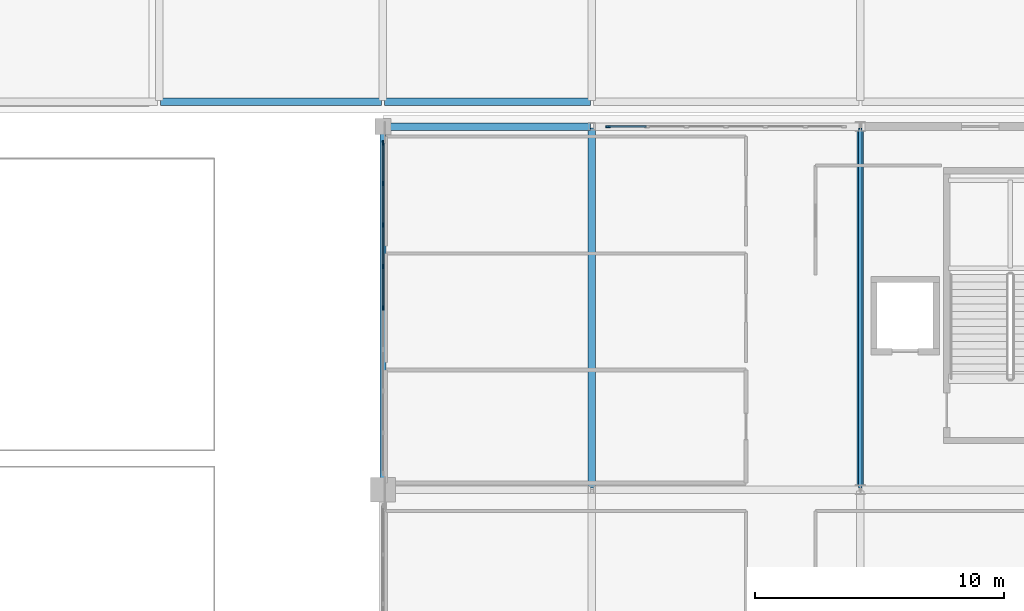
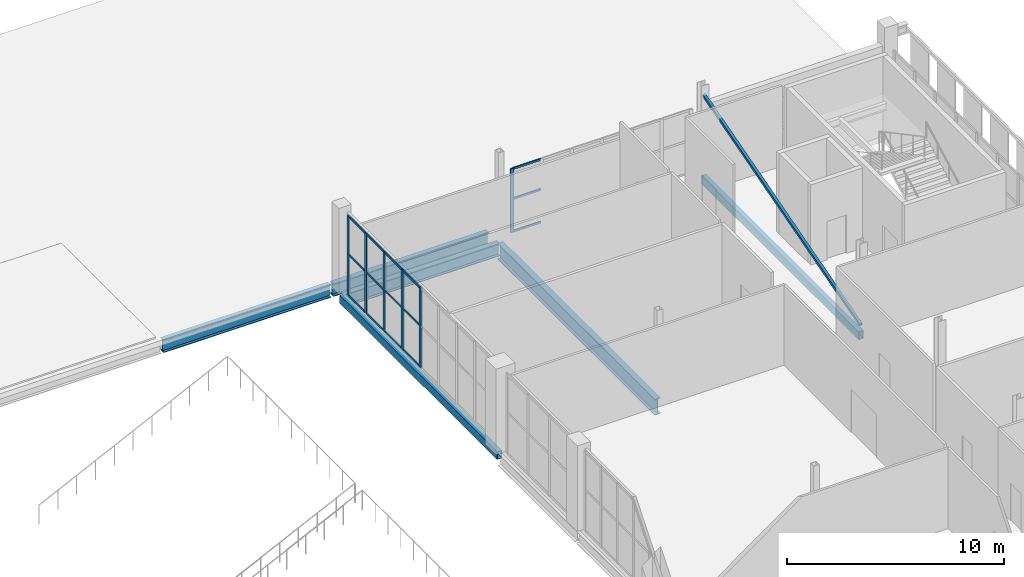
# One storey, part 47 of 104: 22 members, 6 beams, 2 elements without a shape of their own.
"""IFC4 building model written with IfcOpenShell, lengths in metres."""

from ifc_helpers import new_model, si_unit, direction, frame, origin, origin_2d, place, context, subcontext, project, spatial, rectangle, hollow_rectangle, i_section, extrude, material, material_profile, profile_set, type_object, element, aggregate, save


model = new_model("IFC4")

# Units and contexts
model_context = context("Model", 3, precision=1e-05, world=origin(), true_north=direction((0.0, 1.0)))
body_context = subcontext(model_context, "Body", "Model", "MODEL_VIEW")
ifc_project = project(units=[si_unit("LENGTHUNIT", "METRE"), si_unit("AREAUNIT", "SQUARE_METRE"), si_unit("VOLUMEUNIT", "CUBIC_METRE"), si_unit("PLANEANGLEUNIT", "RADIAN"), si_unit("MASSUNIT", "GRAM", prefix="KILO")], contexts=[model_context])

# Site, building, storey
site_placement = place(None, origin())
site = spatial("IfcSite", under=ifc_project, at=site_placement, CompositionType="ELEMENT")
building_placement = place(site_placement, origin())
building = spatial("IfcBuilding", under=site, at=building_placement, Name="Koshinbarg Plaza Stadium", CompositionType="ELEMENT")
storey_placement = place(building_placement, frame((0.0, 0.0, 19.800048828125)))
storey = spatial("IfcBuildingStorey", under=building, at=storey_placement, Name="L04", CompositionType="ELEMENT", Elevation=19.800048828125)

# Beams
ifc_material_1 = material(Name="Steel S355", Category="steel")
ifc_material_profile_1 = material_profile(ifc_material_1, i_section(OverallWidth=0.300048828125, OverallDepth=0.699951171875, WebThickness=0.01708984375, FlangeThickness=0.031982421875, at=origin_2d()), Name="HEB 700")
ifc_profile_set_1 = profile_set([ifc_material_profile_1], Name="Steel S355")
beam_type_1 = type_object("IfcBeamType", Name="BM-SGIR-03", PredefinedType="USERDEFINED", material=ifc_profile_set_1)
beam_1_placement = place(storey_placement, frame((189.4599609375, 126.5, -0.650146484375), z_axis=(1.0, 0.0, 0.0), x_axis=(0.0, 1.0, 0.0)))
element("IfcBeam", 1, at=beam_1_placement, inside=storey, type_object=beam_type_1, Name="L04 X girder R/18-19", ObjectType="GIRDER", PredefinedType="USERDEFINED", context=body_context, shape_type="SweptSolid", body=[
    extrude(i_section(OverallWidth=0.300048828125, OverallDepth=0.699951171875, WebThickness=0.01708984375, FlangeThickness=0.031982421875, at=origin_2d()), origin(), (0.0, 0.0, 1.0), 8.280029296875),
])
beam_2_placement = place(storey_placement, frame((180.4599609375, 127.5, -0.650146484375), z_axis=(1.0, 0.0, 0.0), x_axis=(0.0, 1.0, 0.0)))
element("IfcBeam", 2, at=beam_2_placement, inside=storey, type_object=beam_type_1, Name="L04 X girder S/17-18", ObjectType="GIRDER", PredefinedType="USERDEFINED", context=body_context, shape_type="SweptSolid", body=[
    extrude(i_section(OverallWidth=0.300048828125, OverallDepth=0.699951171875, WebThickness=0.01708984375, FlangeThickness=0.031982421875, at=origin_2d()), origin(), (0.0, 0.0, 1.0), 8.880126953125),
])
beam_3_placement = place(storey_placement, frame((189.4599609375, 127.5, -0.650146484375), z_axis=(1.0, 0.0, 0.0), x_axis=(0.0, 1.0, 0.0)))
element("IfcBeam", 3, at=beam_3_placement, inside=storey, type_object=beam_type_1, Name="L04 X girder S/18-19", ObjectType="GIRDER", PredefinedType="USERDEFINED", context=body_context, shape_type="SweptSolid", body=[
    extrude(i_section(OverallWidth=0.300048828125, OverallDepth=0.699951171875, WebThickness=0.01708984375, FlangeThickness=0.031982421875, at=origin_2d()), origin(), (0.0, 0.0, 1.0), 8.280029296875),
])
ifc_material_profile_2 = material_profile(ifc_material_1, i_section(OverallWidth=0.300048828125, OverallDepth=0.89990234375, WebThickness=0.0185546875, FlangeThickness=0.034912109375, at=origin_2d()), Name="HEB 900")
ifc_profile_set_2 = profile_set([ifc_material_profile_2], Name="Steel S355")
beam_type_2 = type_object("IfcBeamType", Name="BM-SGIR-05", PredefinedType="USERDEFINED", material=ifc_profile_set_2)
beam_4_placement = place(storey_placement, frame((197.800048828125, 111.9599609375, -0.75), z_axis=(0.0, 1.0, 0.0), x_axis=(-1.0, 0.0, 0.0)))
element("IfcBeam", 4, at=beam_4_placement, inside=storey, type_object=beam_type_2, Name="L04 Y girder 19/Q-R", ObjectType="GIRDER", PredefinedType="USERDEFINED", context=body_context, shape_type="SweptSolid", body=[
    extrude(i_section(OverallWidth=0.300048828125, OverallDepth=0.89990234375, WebThickness=0.0185546875, FlangeThickness=0.034912109375, at=origin_2d()), origin(), (0.0, 0.0, 1.0), 14.47998046875),
])
ifc_material_profile_3 = material_profile(ifc_material_1, hollow_rectangle(XDim=0.25, YDim=0.449951171875, WallThickness=0.01611328125, at=origin_2d()), Name="RHS 450x250x16")
ifc_profile_set_3 = profile_set([ifc_material_profile_3], Name="Steel S355")
beam_type_3 = type_object("IfcBeamType", Name="BM-SGIR-06", PredefinedType="USERDEFINED", material=ifc_profile_set_3)
for number, where, z_axis, x_axis, name in (
    (5, (189.39990234375, 111.9599609375, -0.525146484375), (0.0, 1.0, 0.0), (-1.0, 0.0, 0.0), "L04 Y girder 18/Q-R"),
    (6, (208.60009765625, 111.9599609375, -0.525146484375), (0.0, 1.0, 0.0), (-1.0, 0.0, 0.0), "L04 Y girder 20/Q-R"),
):
    element("IfcBeam", number, at=place(storey_placement, frame(where, z_axis=z_axis, x_axis=x_axis)), inside=storey, type_object=beam_type_3, Name=name, ObjectType="GIRDER", PredefinedType="USERDEFINED", context=body_context, shape_type="SweptSolid", body=[
        extrude(hollow_rectangle(XDim=0.25, YDim=0.449951171875, WallThickness=0.01611328125, at=origin_2d()), origin(), (0.0, 0.0, 1.0), 14.47998046875),
    ])

# Curtain wall, member
ifc_material_2 = material(Name="Thermally broken anodised aluminium and low-E double glazing", Category="aluminium")
curtain_wall_type = type_object("IfcCurtainWallType", Name="CW-SYS-03", PredefinedType="NOTDEFINED", material=ifc_material_2)
curtain_wall_1_placement = place(storey_placement, origin())
curtain_wall_1 = element("IfcCurtainWall", 7, at=curtain_wall_1_placement, inside=storey, type_object=curtain_wall_type, Name="L04 unitised curtain wall CW-L04-098", PredefinedType="NOTDEFINED")
ifc_material_3 = material(Name="Anodised aluminium mullion", Category="aluminium")
ifc_material_profile_4 = material_profile(ifc_material_3, rectangle(XDim=0.070068359375, YDim=0.179931640625, at=origin_2d()), Name="ALU 70x180")
ifc_profile_set_4 = profile_set([ifc_material_profile_4], Name="Anodised aluminium mullion")
member_type_1 = type_object("IfcMemberType", Name="CW-MUL-03", PredefinedType="MULLION", material=ifc_profile_set_4)
member_1_placement = place(storey_placement, frame((198.449951171875, 126.5, 0.0), z_axis=(0.0, 0.0, 1.0), x_axis=(0.0, 1.0, 0.0)))
member_1 = element("IfcMember", 8, at=member_1_placement, type_object=member_type_1, Name="CW03 mullion 1", PredefinedType="MULLION", context=body_context, shape_type="SweptSolid", body=[
    extrude(rectangle(XDim=0.070068359375, YDim=0.179931640625, at=origin_2d()), origin(), (0.0, 0.0, 1.0), 3.579833984375),
])

# Curtain wall, members
curtain_wall_2_placement = place(storey_placement, origin())
curtain_wall_2 = element("IfcCurtainWall", 9, at=curtain_wall_2_placement, inside=storey, type_object=curtain_wall_type, Name="L04 unitised curtain wall CW-L04-130", PredefinedType="NOTDEFINED")
member_2_placement = place(storey_placement, frame((189.39990234375, 119.199951171875, 0.0), z_axis=(0.0, 0.0, 1.0), x_axis=(-1.0, 0.0, 0.0)))
member_2 = element("IfcMember", 10, at=member_2_placement, type_object=member_type_1, Name="CW03 mullion 5", PredefinedType="MULLION", context=body_context, shape_type="SweptSolid", body=[
    extrude(rectangle(XDim=0.070068359375, YDim=0.179931640625, at=origin_2d()), origin(), (0.0, 0.0, 1.0), 4.47998046875),
])
member_3_placement = place(storey_placement, frame((189.39990234375, 120.8701171875, 0.0), z_axis=(0.0, 0.0, 1.0), x_axis=(-1.0, 0.0, 0.0)))
member_3 = element("IfcMember", 11, at=member_3_placement, type_object=member_type_1, Name="CW03 mullion 6", PredefinedType="MULLION", context=body_context, shape_type="SweptSolid", body=[
    extrude(rectangle(XDim=0.070068359375, YDim=0.179931640625, at=origin_2d()), origin(), (0.0, 0.0, 1.0), 4.47998046875),
])
member_4_placement = place(storey_placement, frame((189.39990234375, 122.5400390625, 0.0), z_axis=(0.0, 0.0, 1.0), x_axis=(-1.0, 0.0, 0.0)))
member_4 = element("IfcMember", 12, at=member_4_placement, type_object=member_type_1, Name="CW03 mullion 7", PredefinedType="MULLION", context=body_context, shape_type="SweptSolid", body=[
    extrude(rectangle(XDim=0.070068359375, YDim=0.179931640625, at=origin_2d()), origin(), (0.0, 0.0, 1.0), 4.47998046875),
])
member_5_placement = place(storey_placement, frame((189.39990234375, 124.2099609375, 0.0), z_axis=(0.0, 0.0, 1.0), x_axis=(-1.0, 0.0, 0.0)))
member_5 = element("IfcMember", 13, at=member_5_placement, type_object=member_type_1, Name="CW03 mullion 8", PredefinedType="MULLION", context=body_context, shape_type="SweptSolid", body=[
    extrude(rectangle(XDim=0.070068359375, YDim=0.179931640625, at=origin_2d()), origin(), (0.0, 0.0, 1.0), 4.47998046875),
])
member_6_placement = place(storey_placement, frame((189.39990234375, 125.85009765625, 0.0), z_axis=(0.0, 0.0, 1.0), x_axis=(-1.0, 0.0, 0.0)))
member_6 = element("IfcMember", 14, at=member_6_placement, type_object=member_type_1, Name="CW03 mullion 9", PredefinedType="MULLION", context=body_context, shape_type="SweptSolid", body=[
    extrude(rectangle(XDim=0.070068359375, YDim=0.179931640625, at=origin_2d()), origin(), (0.0, 0.0, 1.0), 4.47998046875),
])

# Member
ifc_material_4 = material(Name="Anodised aluminium transom", Category="aluminium")
ifc_material_profile_5 = material_profile(ifc_material_4, rectangle(XDim=0.06005859375, YDim=0.110107421875, at=origin_2d()), Name="ALU 60x110")
ifc_profile_set_5 = profile_set([ifc_material_profile_5], Name="Anodised aluminium transom")
member_type_2 = type_object("IfcMemberType", Name="CW-TRN-01", PredefinedType="USERDEFINED", material=ifc_profile_set_5)
member_7_placement = place(storey_placement, frame((198.47998046875, 126.5, 0.030029296875), z_axis=(1.0, 0.0, 0.0), x_axis=(0.0, 1.0, 0.0)))
member_7 = element("IfcMember", 15, at=member_7_placement, type_object=member_type_2, Name="CW03 transom 1.1", ObjectType="TRANSOM", PredefinedType="USERDEFINED", context=body_context, shape_type="SweptSolid", body=[
    extrude(rectangle(XDim=0.06005859375, YDim=0.110107421875, at=origin_2d()), origin(), (0.0, 0.0, 1.0), 1.50341796875),
])

member_8_placement = place(storey_placement, frame((198.47998046875, 126.5, 1.861572265625), z_axis=(1.0, 0.0, 0.0), x_axis=(0.0, 1.0, 0.0)))
member_8 = element("IfcMember", 16, at=member_8_placement, type_object=member_type_2, Name="CW03 transom 1.2", ObjectType="TRANSOM", PredefinedType="USERDEFINED", context=body_context, shape_type="SweptSolid", body=[
    extrude(rectangle(XDim=0.06005859375, YDim=0.110107421875, at=origin_2d()), origin(), (0.0, 0.0, 1.0), 1.50341796875),
])

member_9_placement = place(storey_placement, frame((198.47998046875, 126.5, 3.550048828125), z_axis=(1.0, 0.0, 0.0), x_axis=(0.0, 1.0, 0.0)))
member_9 = element("IfcMember", 17, at=member_9_placement, type_object=member_type_2, Name="CW03 transom 1.3", ObjectType="TRANSOM", PredefinedType="USERDEFINED", context=body_context, shape_type="SweptSolid", body=[
    extrude(rectangle(XDim=0.06005859375, YDim=0.110107421875, at=origin_2d()), origin(), (0.0, 0.0, 1.0), 1.50341796875),
])

aggregate(curtain_wall_1, [member_1, member_7, member_8, member_9])

member_10_placement = place(storey_placement, frame((189.39990234375, 119.22998046875, 0.030029296875), z_axis=(0.0, 1.0, 0.0), x_axis=(-1.0, 0.0, 0.0)))
member_10 = element("IfcMember", 18, at=member_10_placement, type_object=member_type_2, Name="CW03 transom 5.1", ObjectType="TRANSOM", PredefinedType="USERDEFINED", context=body_context, shape_type="SweptSolid", body=[
    extrude(rectangle(XDim=0.06005859375, YDim=0.110107421875, at=origin_2d()), origin(), (0.0, 0.0, 1.0), 1.610107421875),
])

member_11_placement = place(storey_placement, frame((189.39990234375, 119.22998046875, 2.32958984375), z_axis=(0.0, 1.0, 0.0), x_axis=(-1.0, 0.0, 0.0)))
member_11 = element("IfcMember", 19, at=member_11_placement, type_object=member_type_2, Name="CW03 transom 5.2", ObjectType="TRANSOM", PredefinedType="USERDEFINED", context=body_context, shape_type="SweptSolid", body=[
    extrude(rectangle(XDim=0.06005859375, YDim=0.110107421875, at=origin_2d()), origin(), (0.0, 0.0, 1.0), 1.610107421875),
])

member_12_placement = place(storey_placement, frame((189.39990234375, 119.22998046875, 4.449951171875), z_axis=(0.0, 1.0, 0.0), x_axis=(-1.0, 0.0, 0.0)))
member_12 = element("IfcMember", 20, at=member_12_placement, type_object=member_type_2, Name="CW03 transom 5.3", ObjectType="TRANSOM", PredefinedType="USERDEFINED", context=body_context, shape_type="SweptSolid", body=[
    extrude(rectangle(XDim=0.06005859375, YDim=0.110107421875, at=origin_2d()), origin(), (0.0, 0.0, 1.0), 1.610107421875),
])

member_13_placement = place(storey_placement, frame((189.39990234375, 120.89990234375, 0.030029296875), z_axis=(0.0, 1.0, 0.0), x_axis=(-1.0, 0.0, 0.0)))
member_13 = element("IfcMember", 21, at=member_13_placement, type_object=member_type_2, Name="CW03 transom 6.1", ObjectType="TRANSOM", PredefinedType="USERDEFINED", context=body_context, shape_type="SweptSolid", body=[
    extrude(rectangle(XDim=0.06005859375, YDim=0.110107421875, at=origin_2d()), origin(), (0.0, 0.0, 1.0), 1.610107421875),
])

member_14_placement = place(storey_placement, frame((189.39990234375, 120.89990234375, 2.32958984375), z_axis=(0.0, 1.0, 0.0), x_axis=(-1.0, 0.0, 0.0)))
member_14 = element("IfcMember", 22, at=member_14_placement, type_object=member_type_2, Name="CW03 transom 6.2", ObjectType="TRANSOM", PredefinedType="USERDEFINED", context=body_context, shape_type="SweptSolid", body=[
    extrude(rectangle(XDim=0.06005859375, YDim=0.110107421875, at=origin_2d()), origin(), (0.0, 0.0, 1.0), 1.610107421875),
])

member_15_placement = place(storey_placement, frame((189.39990234375, 120.89990234375, 4.449951171875), z_axis=(0.0, 1.0, 0.0), x_axis=(-1.0, 0.0, 0.0)))
member_15 = element("IfcMember", 23, at=member_15_placement, type_object=member_type_2, Name="CW03 transom 6.3", ObjectType="TRANSOM", PredefinedType="USERDEFINED", context=body_context, shape_type="SweptSolid", body=[
    extrude(rectangle(XDim=0.06005859375, YDim=0.110107421875, at=origin_2d()), origin(), (0.0, 0.0, 1.0), 1.610107421875),
])

member_16_placement = place(storey_placement, frame((189.39990234375, 122.570068359375, 0.030029296875), z_axis=(0.0, 1.0, 0.0), x_axis=(-1.0, 0.0, 0.0)))
member_16 = element("IfcMember", 24, at=member_16_placement, type_object=member_type_2, Name="CW03 transom 7.1", ObjectType="TRANSOM", PredefinedType="USERDEFINED", context=body_context, shape_type="SweptSolid", body=[
    extrude(rectangle(XDim=0.06005859375, YDim=0.110107421875, at=origin_2d()), origin(), (0.0, 0.0, 1.0), 1.60986328125),
])

member_17_placement = place(storey_placement, frame((189.39990234375, 122.570068359375, 2.32958984375), z_axis=(0.0, 1.0, 0.0), x_axis=(-1.0, 0.0, 0.0)))
member_17 = element("IfcMember", 25, at=member_17_placement, type_object=member_type_2, Name="CW03 transom 7.2", ObjectType="TRANSOM", PredefinedType="USERDEFINED", context=body_context, shape_type="SweptSolid", body=[
    extrude(rectangle(XDim=0.06005859375, YDim=0.110107421875, at=origin_2d()), origin(), (0.0, 0.0, 1.0), 1.60986328125),
])

member_18_placement = place(storey_placement, frame((189.39990234375, 122.570068359375, 4.449951171875), z_axis=(0.0, 1.0, 0.0), x_axis=(-1.0, 0.0, 0.0)))
member_18 = element("IfcMember", 26, at=member_18_placement, type_object=member_type_2, Name="CW03 transom 7.3", ObjectType="TRANSOM", PredefinedType="USERDEFINED", context=body_context, shape_type="SweptSolid", body=[
    extrude(rectangle(XDim=0.06005859375, YDim=0.110107421875, at=origin_2d()), origin(), (0.0, 0.0, 1.0), 1.60986328125),
])

member_19_placement = place(storey_placement, frame((189.39990234375, 124.239990234375, 0.030029296875), z_axis=(0.0, 1.0, 0.0), x_axis=(-1.0, 0.0, 0.0)))
member_19 = element("IfcMember", 27, at=member_19_placement, type_object=member_type_2, Name="CW03 transom 8.1", ObjectType="TRANSOM", PredefinedType="USERDEFINED", context=body_context, shape_type="SweptSolid", body=[
    extrude(rectangle(XDim=0.06005859375, YDim=0.110107421875, at=origin_2d()), origin(), (0.0, 0.0, 1.0), 1.580078125),
])

member_20_placement = place(storey_placement, frame((189.39990234375, 124.239990234375, 2.32958984375), z_axis=(0.0, 1.0, 0.0), x_axis=(-1.0, 0.0, 0.0)))
member_20 = element("IfcMember", 28, at=member_20_placement, type_object=member_type_2, Name="CW03 transom 8.2", ObjectType="TRANSOM", PredefinedType="USERDEFINED", context=body_context, shape_type="SweptSolid", body=[
    extrude(rectangle(XDim=0.06005859375, YDim=0.110107421875, at=origin_2d()), origin(), (0.0, 0.0, 1.0), 1.580078125),
])

member_21_placement = place(storey_placement, frame((189.39990234375, 124.239990234375, 4.449951171875), z_axis=(0.0, 1.0, 0.0), x_axis=(-1.0, 0.0, 0.0)))
member_21 = element("IfcMember", 29, at=member_21_placement, type_object=member_type_2, Name="CW03 transom 8.3", ObjectType="TRANSOM", PredefinedType="USERDEFINED", context=body_context, shape_type="SweptSolid", body=[
    extrude(rectangle(XDim=0.06005859375, YDim=0.110107421875, at=origin_2d()), origin(), (0.0, 0.0, 1.0), 1.580078125),
])

aggregate(curtain_wall_2, [member_2, member_3, member_4, member_5, member_6, member_10, member_11, member_12, member_13, member_14, member_15, member_16, member_17, member_18, member_19, member_20, member_21])

ifc_material_profile_6 = material_profile(ifc_material_1, hollow_rectangle(XDim=0.14990234375, YDim=0.14990234375, WallThickness=0.008056640625, at=origin_2d()), Name="SHS 150x150x8")
ifc_profile_set_6 = profile_set([ifc_material_profile_6], Name="Steel S355")
member_type_3 = type_object("IfcMemberType", Name="MB-BRACE-07", PredefinedType="BRACE", material=ifc_profile_set_6)
member_22_placement = place(storey_placement, frame((208.60009765625, 111.97998046875, 0.050048828125), z_axis=(0.0, 0.961097239183, 0.27621024028), x_axis=(-1.0, 0.0, 0.0)))
element("IfcMember", 30, at=member_22_placement, inside=storey, type_object=member_type_3, Name="L04 lateral frame brace 20", PredefinedType="BRACE", context=body_context, shape_type="SweptSolid", body=[
    extrude(hollow_rectangle(XDim=0.14990234375, YDim=0.14990234375, WallThickness=0.008056640625, at=origin_2d()), origin(), (0.0, 0.0, 1.0), 15.0244140625),
])

save(model, "model.ifc")
